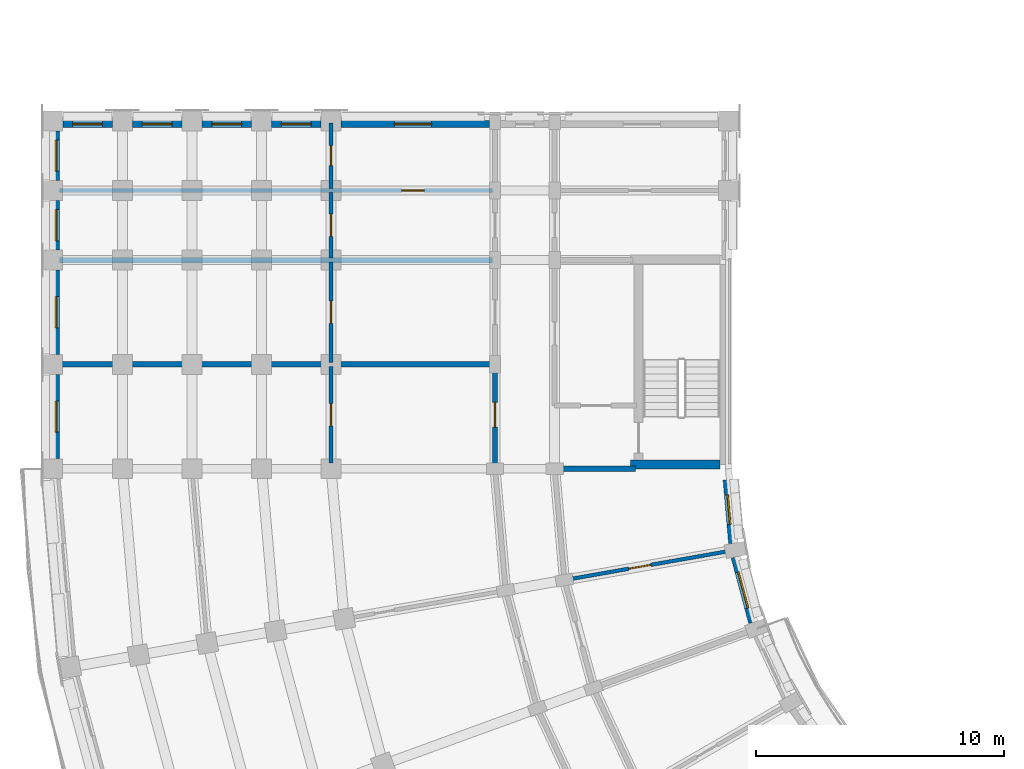
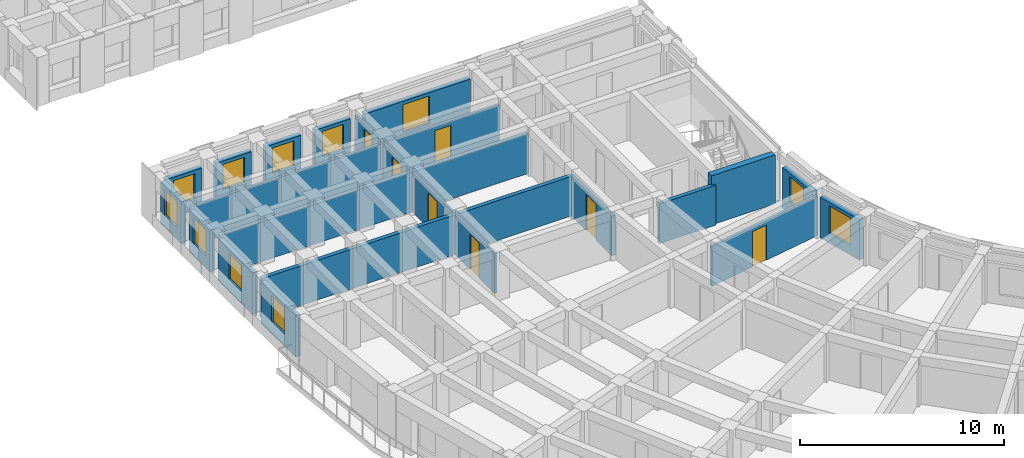
# One storey, part 19 of 54: 22 walls, 11 windows, 7 doors, 18 openings.
"""IFC4 building model written with IfcOpenShell, lengths in metres."""

from ifc_helpers import new_model, si_unit, direction, frame, frame_2d, origin, place, context, subcontext, project, spatial, rectangle, extrude, material, layer, layer_set, type_object, element, fill, save


model = new_model("IFC4")

# Units and contexts
model_context = context("Model", 3, precision=1e-05, world=origin(), true_north=direction((0.0, 1.0)))
body_context = subcontext(model_context, "Body", "Model", "MODEL_VIEW")
ifc_project = project(units=[si_unit("LENGTHUNIT", "METRE"), si_unit("AREAUNIT", "SQUARE_METRE"), si_unit("VOLUMEUNIT", "CUBIC_METRE"), si_unit("PLANEANGLEUNIT", "RADIAN"), si_unit("MASSUNIT", "GRAM", prefix="KILO")], contexts=[model_context])

# Site, building, storey
site_placement = place(None, origin())
site = spatial("IfcSite", under=ifc_project, at=site_placement, CompositionType="ELEMENT")
building_placement = place(site_placement, origin())
building = spatial("IfcBuilding", under=site, at=building_placement, Name="Kiranvali Square Residences", CompositionType="ELEMENT")
storey_placement = place(building_placement, frame((0.0, 0.0, 11.85009765625)))
storey = spatial("IfcBuildingStorey", under=building, at=storey_placement, Name="L03", CompositionType="ELEMENT", Elevation=11.85009765625)

# Wall, opening, door
ifc_material_1 = material(Name="Autoclaved aerated concrete blockwork masonry", Category="masonry")
ifc_layer_1 = layer(ifc_material_1, 0.199951171875)
ifc_layer_set_1 = layer_set([ifc_layer_1], Name="Autoclaved aerated concrete blockwork masonry")
wall_type_1 = type_object("IfcWallType", Name="WL-COR-200", PredefinedType="STANDARD", material=ifc_layer_set_1)
wall_1_placement = place(storey_placement, frame((20.0, 48.35009765625, 0.0), z_axis=(0.0, 0.0, 1.0), x_axis=(0.0, 1.0, 0.0)))
wall_1 = element("IfcWall", 1, at=wall_1_placement, inside=storey, type_object=wall_type_1, Name="L03 architectural wall WL-L03-C-A2CF-C0", PredefinedType="STANDARD", context=body_context, shape_type="SweptSolid", body=[
    extrude(rectangle(XDim=4.0498046875, YDim=0.199951171875, at=frame_2d((2.02490234375, 0.0))), origin(), (0.0, 0.0, 1.0), 2.371826171875),
])
opening_1_placement = place(wall_1_placement, frame((1.52490234375, 0.0, 0.0)))
opening_1 = element("IfcOpeningElement", 2, at=opening_1_placement, cuts=wall_1, Name="Opening FD-APT-60", PredefinedType="OPENING", context=body_context, shape_type="SweptSolid", body=[
    extrude(rectangle(XDim=1.0, YDim=2.14990234375, at=frame_2d((0.5, 1.074951171875))), frame((0.0, 0.10986328125, 0.0), z_axis=(0.0, -1.0, 0.0), x_axis=(1.0, 0.0, 0.0)), (0.0, 0.0, 1.0), 0.219970703125),
])
ifc_material_2 = material(Name="Fire-rated acoustic hardwood and mineral-core door assembly", Category="wood")
door_type_1 = type_object("IfcDoorType", Name="DR-APT-1000", OperationType="NOTDEFINED", PredefinedType="DOOR", material=ifc_material_2)
door_1_placement = place(opening_1_placement, frame((1.0, 0.0, 0.0), z_axis=(0.0, 0.0, 1.0), x_axis=(-1.0, 0.0, 0.0)))
door_1 = element("IfcDoor", 3, at=door_1_placement, inside=storey, type_object=door_type_1, Name="L03 door DR-L03-1956 (DR-APT-1000)", OperationType="SINGLE_SWING_RIGHT", OverallHeight=2.14990234375, OverallWidth=1.0, PredefinedType="DOOR", context=body_context, shape_type="SweptSolid", body=[
    extrude(rectangle(XDim=1.0, YDim=2.14990234375, at=frame_2d((0.5, 1.074951171875))), frame((0.0, 0.02490234375, 0.0), z_axis=(0.0, -1.0, 0.0), x_axis=(1.0, 0.0, 0.0)), (0.0, 0.0, 1.0), 0.050048828125),
])
fill(opening_1, door_1)

# Walls
ifc_layer_2 = layer(ifc_material_1, 0.219970703125)
ifc_layer_set_2 = layer_set([ifc_layer_2], Name="Autoclaved aerated concrete blockwork masonry")
wall_type_2 = type_object("IfcWallType", Name="WL-DEM-220", PredefinedType="STANDARD", material=ifc_layer_set_2)
wall_2_placement = place(storey_placement, frame((25.64990234375, 48.199951171875, 0.0), z_axis=(0.0, 0.0, 1.0), x_axis=(-1.0, 0.0, 0.0)))
element("IfcWall", 4, at=wall_2_placement, inside=storey, type_object=wall_type_2, Name="L03 architectural wall WL-L03-C-RADI-9", PredefinedType="STANDARD", context=body_context, shape_type="SweptSolid", body=[
    extrude(rectangle(XDim=3.199951171875, YDim=0.219970703125, at=frame_2d((1.60009765625, 0.0))), origin(), (0.0, 0.0, 1.0), 2.371826171875),
])
wall_3_placement = place(storey_placement, frame((19.949951171875, 52.39990234375, 0.0), z_axis=(0.0, 0.0, 1.0), x_axis=(-1.0, 0.0, 0.0)))
element("IfcWall", 5, at=wall_3_placement, inside=storey, type_object=wall_type_2, Name="L03 architectural wall WL-L03-C-A2CF-MID", PredefinedType="STANDARD", context=body_context, shape_type="SweptSolid", body=[
    extrude(rectangle(XDim=17.530029296875, YDim=0.219970703125, at=frame_2d((8.76513671875, 0.0))), origin(), (0.0, 0.0, 1.0), 2.371826171875),
])
wall_4_placement = place(storey_placement, frame((19.89990234375, 56.60009765625, 0.0), z_axis=(0.0, 0.0, 1.0), x_axis=(-1.0, 0.0, 0.0)))
element("IfcWall", 6, at=wall_4_placement, inside=storey, type_object=wall_type_2, Name="L03 architectural wall WL-L03-C-A2TO-0", PredefinedType="STANDARD", context=body_context, shape_type="SweptSolid", body=[
    extrude(rectangle(XDim=17.419921875, YDim=0.219970703125, at=frame_2d((8.7099609375, 0.0))), origin(), (0.0, 0.0, 1.0), 2.371826171875),
])

# Wall, opening, window
ifc_material_3 = material(Name="Breathable lime-rendered clay brick masonry", Category="masonry")
ifc_layer_3 = layer(ifc_material_3, 0.27490234375)
ifc_layer_set_3 = layer_set([ifc_layer_3], Name="Breathable lime-rendered clay brick masonry")
wall_type_3 = type_object("IfcWallType", Name="WL-EXT-275", PredefinedType="STANDARD", material=ifc_layer_set_3)
wall_5_placement = place(storey_placement, frame((30.340576171875, 42.0078125, 0.0), z_axis=(0.0, 0.0, 1.0), x_axis=(-0.258819907011, 0.965925595341, 0.0)))
wall_5 = element("IfcWall", 7, at=wall_5_placement, inside=storey, type_object=wall_type_3, Name="L03 exterior wall C-L03-GDN-07", PredefinedType="STANDARD", context=body_context, shape_type="SweptSolid", body=[
    extrude(rectangle(XDim=2.717529296875, YDim=0.27490234375, at=frame_2d((1.35888671875, 0.0))), origin(), (0.0, 0.0, 1.0), 2.421875),
])
opening_2_placement = place(wall_5_placement, frame((0.608642578125, 0.0, 0.572021484375)))
opening_2 = element("IfcOpeningElement", 8, at=opening_2_placement, cuts=wall_5, Name="Opening W-05", PredefinedType="OPENING", context=body_context, shape_type="SweptSolid", body=[
    extrude(rectangle(XDim=1.5, YDim=1.64990234375, at=frame_2d((0.75, 0.824951171875))), frame((0.0, 0.1474609375, 0.0), z_axis=(0.0, -1.0, 0.0), x_axis=(1.0, 0.0, 0.0)), (0.0, 0.0, 1.0), 0.294921875),
])
ifc_material_4 = material(Name="Solar-control low-e double glazing", Category="glass")
window_type_1 = type_object("IfcWindowType", Name="WIN-RES-1500x1650", PartitioningType="DOUBLE_PANEL_VERTICAL", PredefinedType="WINDOW", material=ifc_material_4)
window_1_placement = place(opening_2_placement, origin())
window_1 = element("IfcWindow", 9, at=window_1_placement, inside=storey, type_object=window_type_1, Name="L03 recessed window C-L03-GDN-07", OverallHeight=1.64990234375, OverallWidth=1.5, PartitioningType="DOUBLE_PANEL_VERTICAL", PredefinedType="WINDOW", context=body_context, shape_type="SweptSolid", body=[
    extrude(rectangle(XDim=1.5, YDim=1.64990234375, at=frame_2d((0.75, 0.824951171875))), frame((0.0, 0.030029296875, 0.0), z_axis=(0.0, -1.0, 0.0), x_axis=(1.0, 0.0, 0.0)), (0.0, 0.0, 1.0), 0.06005859375),
])
fill(opening_2, window_1)

wall_6_placement = place(storey_placement, frame((29.53662109375, 45.203125, 0.0), z_axis=(0.0, 0.0, 1.0), x_axis=(-0.08716102895, 0.996194235595, 0.0)))
wall_6 = element("IfcWall", 10, at=wall_6_placement, inside=storey, type_object=wall_type_3, Name="L03 exterior wall C-L03-GDN-08", PredefinedType="STANDARD", context=body_context, shape_type="SweptSolid", body=[
    extrude(rectangle(XDim=2.557373046875, YDim=0.27490234375, at=frame_2d((1.27880859375, 0.0))), origin(), (0.0, 0.0, 1.0), 2.421875),
])
opening_3_placement = place(wall_6_placement, frame((0.7587890625, 0.0, 0.721923828125)))
opening_3 = element("IfcOpeningElement", 11, at=opening_3_placement, cuts=wall_6, Name="Opening W-06", PredefinedType="OPENING", context=body_context, shape_type="SweptSolid", body=[
    extrude(rectangle(XDim=1.199951171875, YDim=1.5, at=frame_2d((0.60009765625, 0.75))), frame((0.0, 0.1474609375, 0.0), z_axis=(0.0, -1.0, 0.0), x_axis=(1.0, 0.0, 0.0)), (0.0, 0.0, 1.0), 0.294921875),
])
window_type_2 = type_object("IfcWindowType", Name="WIN-RES-1200x1500", PartitioningType="SINGLE_PANEL", PredefinedType="WINDOW", material=ifc_material_4)
window_2_placement = place(opening_3_placement, origin())
window_2 = element("IfcWindow", 12, at=window_2_placement, inside=storey, type_object=window_type_2, Name="L03 recessed window C-L03-GDN-08", OverallHeight=1.5, OverallWidth=1.199951171875, PartitioningType="SINGLE_PANEL", PredefinedType="WINDOW", context=body_context, shape_type="SweptSolid", body=[
    extrude(rectangle(XDim=1.199951171875, YDim=1.5, at=frame_2d((0.60009765625, 0.75))), frame((0.0, 0.030029296875, 0.0), z_axis=(0.0, -1.0, 0.0), x_axis=(1.0, 0.0, 0.0)), (0.0, 0.0, 1.0), 0.06005859375),
])
fill(opening_3, window_2)

wall_7_placement = place(storey_placement, frame((2.324951171875, 48.603515625, 0.0), z_axis=(0.0, 0.0, 1.0), x_axis=(0.0, 1.0, 0.0)))
wall_7 = element("IfcWall", 13, at=wall_7_placement, inside=storey, type_object=wall_type_3, Name="L03 exterior wall C-L03-A2O-0", PredefinedType="STANDARD", context=body_context, shape_type="SweptSolid", body=[
    extrude(rectangle(XDim=3.39306640625, YDim=0.27490234375, at=frame_2d((1.696533203125, 0.0))), origin(), (0.0, 0.0, 1.0), 2.471923828125),
])
opening_4_placement = place(wall_7_placement, frame((1.071533203125, 0.0, 0.721923828125)))
opening_4 = element("IfcOpeningElement", 14, at=opening_4_placement, cuts=wall_7, Name="Opening W-19", PredefinedType="OPENING", context=body_context, shape_type="SweptSolid", body=[
    extrude(rectangle(XDim=1.25, YDim=1.550048828125, at=frame_2d((0.625, 0.77490234375))), frame((0.0, 0.1474609375, 0.0), z_axis=(0.0, -1.0, 0.0), x_axis=(1.0, 0.0, 0.0)), (0.0, 0.0, 1.0), 0.294921875),
])
window_type_3 = type_object("IfcWindowType", Name="WIN-GDN-1250x1550", PartitioningType="SINGLE_PANEL", PredefinedType="WINDOW", material=ifc_material_4)
window_3_placement = place(opening_4_placement, origin())
window_3 = element("IfcWindow", 15, at=window_3_placement, inside=storey, type_object=window_type_3, Name="L03 recessed window C-L03-A2O-0", OverallHeight=1.550048828125, OverallWidth=1.25, PartitioningType="SINGLE_PANEL", PredefinedType="WINDOW", context=body_context, shape_type="SweptSolid", body=[
    extrude(rectangle(XDim=1.25, YDim=1.550048828125, at=frame_2d((0.625, 0.77490234375))), frame((0.0, 0.030029296875, 0.0), z_axis=(0.0, -1.0, 0.0), x_axis=(1.0, 0.0, 0.0)), (0.0, 0.0, 1.0), 0.06005859375),
])
fill(opening_4, window_3)

wall_8_placement = place(storey_placement, frame((2.324951171875, 52.803466796875, 0.0), z_axis=(0.0, 0.0, 1.0), x_axis=(0.0, 1.0, 0.0)))
wall_8 = element("IfcWall", 16, at=wall_8_placement, inside=storey, type_object=wall_type_3, Name="L03 exterior wall C-L03-A2O-1", PredefinedType="STANDARD", context=body_context, shape_type="SweptSolid", body=[
    extrude(rectangle(XDim=3.39306640625, YDim=0.27490234375, at=frame_2d((1.696533203125, 0.0))), origin(), (0.0, 0.0, 1.0), 2.471923828125),
])
opening_5_placement = place(wall_8_placement, frame((1.071533203125, 0.0, 0.721923828125)))
opening_5 = element("IfcOpeningElement", 17, at=opening_5_placement, cuts=wall_8, Name="Opening W-19", PredefinedType="OPENING", context=body_context, shape_type="SweptSolid", body=[
    extrude(rectangle(XDim=1.25, YDim=1.550048828125, at=frame_2d((0.625, 0.77490234375))), frame((0.0, 0.1474609375, 0.0), z_axis=(0.0, -1.0, 0.0), x_axis=(1.0, 0.0, 0.0)), (0.0, 0.0, 1.0), 0.294921875),
])
window_4_placement = place(opening_5_placement, origin())
window_4 = element("IfcWindow", 18, at=window_4_placement, inside=storey, type_object=window_type_3, Name="L03 recessed window C-L03-A2O-1", OverallHeight=1.550048828125, OverallWidth=1.25, PartitioningType="SINGLE_PANEL", PredefinedType="WINDOW", context=body_context, shape_type="SweptSolid", body=[
    extrude(rectangle(XDim=1.25, YDim=1.550048828125, at=frame_2d((0.625, 0.77490234375))), frame((0.0, 0.030029296875, 0.0), z_axis=(0.0, -1.0, 0.0), x_axis=(1.0, 0.0, 0.0)), (0.0, 0.0, 1.0), 0.06005859375),
])
fill(opening_5, window_4)

wall_9_placement = place(storey_placement, frame((2.324951171875, 57.00341796875, 0.0), z_axis=(0.0, 0.0, 1.0), x_axis=(0.0, 1.0, 0.0)))
wall_9 = element("IfcWall", 19, at=wall_9_placement, inside=storey, type_object=wall_type_3, Name="L03 exterior wall C-L03-A2O-2", PredefinedType="STANDARD", context=body_context, shape_type="SweptSolid", body=[
    extrude(rectangle(XDim=1.9931640625, YDim=0.27490234375, at=frame_2d((0.99658203125, 0.0))), origin(), (0.0, 0.0, 1.0), 2.471923828125),
])
opening_6_placement = place(wall_9_placement, frame((0.37158203125, 0.0, 0.721923828125)))
opening_6 = element("IfcOpeningElement", 20, at=opening_6_placement, cuts=wall_9, Name="Opening W-19", PredefinedType="OPENING", context=body_context, shape_type="SweptSolid", body=[
    extrude(rectangle(XDim=1.25, YDim=1.550048828125, at=frame_2d((0.625, 0.77490234375))), frame((0.0, 0.1474609375, 0.0), z_axis=(0.0, -1.0, 0.0), x_axis=(1.0, 0.0, 0.0)), (0.0, 0.0, 1.0), 0.294921875),
])
window_5_placement = place(opening_6_placement, origin())
window_5 = element("IfcWindow", 21, at=window_5_placement, inside=storey, type_object=window_type_3, Name="L03 recessed window C-L03-A2O-2", OverallHeight=1.550048828125, OverallWidth=1.25, PartitioningType="SINGLE_PANEL", PredefinedType="WINDOW", context=body_context, shape_type="SweptSolid", body=[
    extrude(rectangle(XDim=1.25, YDim=1.550048828125, at=frame_2d((0.625, 0.77490234375))), frame((0.0, 0.030029296875, 0.0), z_axis=(0.0, -1.0, 0.0), x_axis=(1.0, 0.0, 0.0)), (0.0, 0.0, 1.0), 0.06005859375),
])
fill(opening_6, window_5)

wall_10_placement = place(storey_placement, frame((2.324951171875, 59.803466796875, 0.0), z_axis=(0.0, 0.0, 1.0), x_axis=(0.0, 1.0, 0.0)))
wall_10 = element("IfcWall", 22, at=wall_10_placement, inside=storey, type_object=wall_type_3, Name="L03 exterior wall C-L03-A2O-3", PredefinedType="STANDARD", context=body_context, shape_type="SweptSolid", body=[
    extrude(rectangle(XDim=1.992919921875, YDim=0.27490234375, at=frame_2d((0.99658203125, 0.0))), origin(), (0.0, 0.0, 1.0), 2.471923828125),
])
opening_7_placement = place(wall_10_placement, frame((0.37158203125, 0.0, 0.721923828125)))
opening_7 = element("IfcOpeningElement", 23, at=opening_7_placement, cuts=wall_10, Name="Opening W-19", PredefinedType="OPENING", context=body_context, shape_type="SweptSolid", body=[
    extrude(rectangle(XDim=1.25, YDim=1.550048828125, at=frame_2d((0.625, 0.77490234375))), frame((0.0, 0.1474609375, 0.0), z_axis=(0.0, -1.0, 0.0), x_axis=(1.0, 0.0, 0.0)), (0.0, 0.0, 1.0), 0.294921875),
])
window_6_placement = place(opening_7_placement, origin())
window_6 = element("IfcWindow", 24, at=window_6_placement, inside=storey, type_object=window_type_3, Name="L03 recessed window C-L03-A2O-3", OverallHeight=1.550048828125, OverallWidth=1.25, PartitioningType="SINGLE_PANEL", PredefinedType="WINDOW", context=body_context, shape_type="SweptSolid", body=[
    extrude(rectangle(XDim=1.25, YDim=1.550048828125, at=frame_2d((0.625, 0.77490234375))), frame((0.0, 0.030029296875, 0.0), z_axis=(0.0, -1.0, 0.0), x_axis=(1.0, 0.0, 0.0)), (0.0, 0.0, 1.0), 0.06005859375),
])
fill(opening_7, window_6)

wall_11_placement = place(storey_placement, frame((19.771484375, 62.074951171875, 0.0), z_axis=(0.0, 0.0, 1.0), x_axis=(-1.0, 0.0, 0.0)))
wall_11 = element("IfcWall", 25, at=wall_11_placement, inside=storey, type_object=wall_type_3, Name="L03 exterior wall C-L03-A2END-2", PredefinedType="STANDARD", context=body_context, shape_type="SweptSolid", body=[
    extrude(rectangle(XDim=5.968017578125, YDim=0.27490234375, at=frame_2d((2.98388671875, 0.0))), origin(), (0.0, 0.0, 1.0), 2.371826171875),
])
opening_8_placement = place(wall_11_placement, frame((2.321533203125, 0.0, 0.52197265625)))
opening_8 = element("IfcOpeningElement", 26, at=opening_8_placement, cuts=wall_11, Name="Opening W-05", PredefinedType="OPENING", context=body_context, shape_type="SweptSolid", body=[
    extrude(rectangle(XDim=1.5, YDim=1.64990234375, at=frame_2d((0.75, 0.824951171875))), frame((0.0, 0.1474609375, 0.0), z_axis=(0.0, -1.0, 0.0), x_axis=(1.0, 0.0, 0.0)), (0.0, 0.0, 1.0), 0.294921875),
])
window_7_placement = place(opening_8_placement, origin())
window_7 = element("IfcWindow", 27, at=window_7_placement, inside=storey, type_object=window_type_1, Name="L03 recessed window C-L03-A2END-2", OverallHeight=1.64990234375, OverallWidth=1.5, PartitioningType="DOUBLE_PANEL_VERTICAL", PredefinedType="WINDOW", context=body_context, shape_type="SweptSolid", body=[
    extrude(rectangle(XDim=1.5, YDim=1.64990234375, at=frame_2d((0.75, 0.824951171875))), frame((0.0, 0.030029296875, 0.0), z_axis=(0.0, -1.0, 0.0), x_axis=(1.0, 0.0, 0.0)), (0.0, 0.0, 1.0), 0.06005859375),
])
fill(opening_8, window_7)

wall_12_placement = place(storey_placement, frame((12.99658203125, 62.074951171875, 0.0), z_axis=(0.0, 0.0, 1.0), x_axis=(-1.0, 0.0, 0.0)))
wall_12 = element("IfcWall", 28, at=wall_12_placement, inside=storey, type_object=wall_type_3, Name="L03 exterior wall C-L03-A2END-3", PredefinedType="STANDARD", context=body_context, shape_type="SweptSolid", body=[
    extrude(rectangle(XDim=1.9931640625, YDim=0.27490234375, at=frame_2d((0.99658203125, 0.0))), origin(), (0.0, 0.0, 1.0), 2.371826171875),
])
opening_9_placement = place(wall_12_placement, frame((0.396484375, 0.0, 0.672119140625)))
opening_9 = element("IfcOpeningElement", 29, at=opening_9_placement, cuts=wall_12, Name="Opening W-06", PredefinedType="OPENING", context=body_context, shape_type="SweptSolid", body=[
    extrude(rectangle(XDim=1.199951171875, YDim=1.5, at=frame_2d((0.60009765625, 0.75))), frame((0.0, 0.1474609375, 0.0), z_axis=(0.0, -1.0, 0.0), x_axis=(1.0, 0.0, 0.0)), (0.0, 0.0, 1.0), 0.294921875),
])
window_8_placement = place(opening_9_placement, origin())
window_8 = element("IfcWindow", 30, at=window_8_placement, inside=storey, type_object=window_type_2, Name="L03 recessed window C-L03-A2END-3", OverallHeight=1.5, OverallWidth=1.199951171875, PartitioningType="SINGLE_PANEL", PredefinedType="WINDOW", context=body_context, shape_type="SweptSolid", body=[
    extrude(rectangle(XDim=1.199951171875, YDim=1.5, at=frame_2d((0.60009765625, 0.75))), frame((0.0, 0.030029296875, 0.0), z_axis=(0.0, -1.0, 0.0), x_axis=(1.0, 0.0, 0.0)), (0.0, 0.0, 1.0), 0.06005859375),
])
fill(opening_9, window_8)

wall_13_placement = place(storey_placement, frame((10.196533203125, 62.074951171875, 0.0), z_axis=(0.0, 0.0, 1.0), x_axis=(-1.0, 0.0, 0.0)))
wall_13 = element("IfcWall", 31, at=wall_13_placement, inside=storey, type_object=wall_type_3, Name="L03 exterior wall C-L03-A2END-4", PredefinedType="STANDARD", context=body_context, shape_type="SweptSolid", body=[
    extrude(rectangle(XDim=1.992919921875, YDim=0.27490234375, at=frame_2d((0.99658203125, 0.0))), origin(), (0.0, 0.0, 1.0), 2.371826171875),
])
opening_10_placement = place(wall_13_placement, frame((0.396484375, 0.0, 0.672119140625)))
opening_10 = element("IfcOpeningElement", 32, at=opening_10_placement, cuts=wall_13, Name="Opening W-06", PredefinedType="OPENING", context=body_context, shape_type="SweptSolid", body=[
    extrude(rectangle(XDim=1.199951171875, YDim=1.5, at=frame_2d((0.60009765625, 0.75))), frame((0.0, 0.1474609375, 0.0), z_axis=(0.0, -1.0, 0.0), x_axis=(1.0, 0.0, 0.0)), (0.0, 0.0, 1.0), 0.294921875),
])
window_9_placement = place(opening_10_placement, origin())
window_9 = element("IfcWindow", 33, at=window_9_placement, inside=storey, type_object=window_type_2, Name="L03 recessed window C-L03-A2END-4", OverallHeight=1.5, OverallWidth=1.199951171875, PartitioningType="SINGLE_PANEL", PredefinedType="WINDOW", context=body_context, shape_type="SweptSolid", body=[
    extrude(rectangle(XDim=1.199951171875, YDim=1.5, at=frame_2d((0.60009765625, 0.75))), frame((0.0, 0.030029296875, 0.0), z_axis=(0.0, -1.0, 0.0), x_axis=(1.0, 0.0, 0.0)), (0.0, 0.0, 1.0), 0.06005859375),
])
fill(opening_10, window_9)

wall_14_placement = place(storey_placement, frame((7.396484375, 62.074951171875, 0.0), z_axis=(0.0, 0.0, 1.0), x_axis=(-1.0, 0.0, 0.0)))
wall_14 = element("IfcWall", 34, at=wall_14_placement, inside=storey, type_object=wall_type_3, Name="L03 exterior wall C-L03-A2END-5", PredefinedType="STANDARD", context=body_context, shape_type="SweptSolid", body=[
    extrude(rectangle(XDim=1.992919921875, YDim=0.27490234375, at=frame_2d((0.99658203125, 0.0))), origin(), (0.0, 0.0, 1.0), 2.371826171875),
])
opening_11_placement = place(wall_14_placement, frame((0.396484375, 0.0, 0.672119140625)))
opening_11 = element("IfcOpeningElement", 35, at=opening_11_placement, cuts=wall_14, Name="Opening W-06", PredefinedType="OPENING", context=body_context, shape_type="SweptSolid", body=[
    extrude(rectangle(XDim=1.199951171875, YDim=1.5, at=frame_2d((0.60009765625, 0.75))), frame((0.0, 0.1474609375, 0.0), z_axis=(0.0, -1.0, 0.0), x_axis=(1.0, 0.0, 0.0)), (0.0, 0.0, 1.0), 0.294921875),
])
window_10_placement = place(opening_11_placement, origin())
window_10 = element("IfcWindow", 36, at=window_10_placement, inside=storey, type_object=window_type_2, Name="L03 recessed window C-L03-A2END-5", OverallHeight=1.5, OverallWidth=1.199951171875, PartitioningType="SINGLE_PANEL", PredefinedType="WINDOW", context=body_context, shape_type="SweptSolid", body=[
    extrude(rectangle(XDim=1.199951171875, YDim=1.5, at=frame_2d((0.60009765625, 0.75))), frame((0.0, 0.030029296875, 0.0), z_axis=(0.0, -1.0, 0.0), x_axis=(1.0, 0.0, 0.0)), (0.0, 0.0, 1.0), 0.06005859375),
])
fill(opening_11, window_10)

wall_15_placement = place(storey_placement, frame((4.596435546875, 62.074951171875, 0.0), z_axis=(0.0, 0.0, 1.0), x_axis=(-1.0, 0.0, 0.0)))
wall_15 = element("IfcWall", 37, at=wall_15_placement, inside=storey, type_object=wall_type_3, Name="L03 exterior wall C-L03-A2END-6", PredefinedType="STANDARD", context=body_context, shape_type="SweptSolid", body=[
    extrude(rectangle(XDim=1.992919921875, YDim=0.27490234375, at=frame_2d((0.99658203125, 0.0))), origin(), (0.0, 0.0, 1.0), 2.371826171875),
])
opening_12_placement = place(wall_15_placement, frame((0.396484375, 0.0, 0.672119140625)))
opening_12 = element("IfcOpeningElement", 38, at=opening_12_placement, cuts=wall_15, Name="Opening W-06", PredefinedType="OPENING", context=body_context, shape_type="SweptSolid", body=[
    extrude(rectangle(XDim=1.199951171875, YDim=1.5, at=frame_2d((0.60009765625, 0.75))), frame((0.0, 0.1474609375, 0.0), z_axis=(0.0, -1.0, 0.0), x_axis=(1.0, 0.0, 0.0)), (0.0, 0.0, 1.0), 0.294921875),
])
window_11_placement = place(opening_12_placement, origin())
window_11 = element("IfcWindow", 39, at=window_11_placement, inside=storey, type_object=window_type_2, Name="L03 recessed window C-L03-A2END-6", OverallHeight=1.5, OverallWidth=1.199951171875, PartitioningType="SINGLE_PANEL", PredefinedType="WINDOW", context=body_context, shape_type="SweptSolid", body=[
    extrude(rectangle(XDim=1.199951171875, YDim=1.5, at=frame_2d((0.60009765625, 0.75))), frame((0.0, 0.030029296875, 0.0), z_axis=(0.0, -1.0, 0.0), x_axis=(1.0, 0.0, 0.0)), (0.0, 0.0, 1.0), 0.06005859375),
])
fill(opening_12, window_11)

# Wall, opening, door
ifc_material_5 = material(Name="Acoustic gypsum board drylined partition", Category="gypsum")
ifc_layer_4 = layer(ifc_material_5, 0.14990234375)
ifc_layer_set_4 = layer_set([ifc_layer_4], Name="Acoustic gypsum board drylined partition")
wall_type_4 = type_object("IfcWallType", Name="WL-PRT-150", PredefinedType="PARTITIONING", material=ifc_layer_set_4)
wall_16_placement = place(storey_placement, frame((29.48876953125, 44.900634765625, 0.0), z_axis=(0.0, 0.0, 1.0), x_axis=(-0.984807944945, -0.173647089161, 0.0)))
wall_16 = element("IfcWall", 40, at=wall_16_placement, inside=storey, type_object=wall_type_4, Name="L03 architectural wall WL-L03-C-RADI-8", PredefinedType="PARTITIONING", context=body_context, shape_type="SweptSolid", body=[
    extrude(rectangle(XDim=6.75, YDim=0.14990234375, at=frame_2d((3.375, 0.0))), origin(), (0.0, 0.0, 1.0), 2.371826171875),
])
opening_13_placement = place(wall_16_placement, frame((3.262451171875, 0.0, 0.0)))
opening_13 = element("IfcOpeningElement", 41, at=opening_13_placement, cuts=wall_16, Name="Opening ID-1", PredefinedType="OPENING", context=body_context, shape_type="SweptSolid", body=[
    extrude(rectangle(XDim=0.89990234375, YDim=2.10009765625, at=frame_2d((0.449951171875, 1.050048828125))), frame((0.0, 0.0849609375, 0.0), z_axis=(0.0, -1.0, 0.0), x_axis=(1.0, 0.0, 0.0)), (0.0, 0.0, 1.0), 0.169921875),
])
ifc_material_6 = material(Name="Solid seasoned teak hardwood joinery", Category="wood")
door_type_2 = type_object("IfcDoorType", Name="DR-INT-900", OperationType="NOTDEFINED", PredefinedType="DOOR", material=ifc_material_6)
door_2_placement = place(opening_13_placement, origin())
door_2 = element("IfcDoor", 42, at=door_2_placement, inside=storey, type_object=door_type_2, Name="L03 door DR-L03-1941 (DR-INT-900)", OperationType="SINGLE_SWING_LEFT", OverallHeight=2.10009765625, OverallWidth=0.89990234375, PredefinedType="DOOR", context=body_context, shape_type="SweptSolid", body=[
    extrude(rectangle(XDim=0.89990234375, YDim=2.10009765625, at=frame_2d((0.449951171875, 1.050048828125))), frame((0.0, 0.02490234375, 0.0), z_axis=(0.0, -1.0, 0.0), x_axis=(1.0, 0.0, 0.0)), (0.0, 0.0, 1.0), 0.050048828125),
])
fill(opening_13, door_2)

wall_17_placement = place(storey_placement, frame((13.39990234375, 48.429931640625, 0.0), z_axis=(0.0, 0.0, 1.0), x_axis=(0.0, 1.0, 0.0)))
wall_17 = element("IfcWall", 43, at=wall_17_placement, inside=storey, type_object=wall_type_4, Name="L03 architectural wall WL-L03-C-A2CF-SP0", PredefinedType="PARTITIONING", context=body_context, shape_type="SweptSolid", body=[
    extrude(rectangle(XDim=3.89013671875, YDim=0.14990234375, at=frame_2d((1.945068359375, 0.0))), origin(), (0.0, 0.0, 1.0), 2.371826171875),
])
opening_14_placement = place(wall_17_placement, frame((1.4951171875, 0.0, 0.0)))
opening_14 = element("IfcOpeningElement", 44, at=opening_14_placement, cuts=wall_17, Name="Opening ID-1", PredefinedType="OPENING", context=body_context, shape_type="SweptSolid", body=[
    extrude(rectangle(XDim=0.89990234375, YDim=2.10009765625, at=frame_2d((0.449951171875, 1.050048828125))), frame((0.0, 0.0849609375, 0.0), z_axis=(0.0, -1.0, 0.0), x_axis=(1.0, 0.0, 0.0)), (0.0, 0.0, 1.0), 0.169921875),
])
door_3_placement = place(opening_14_placement, origin())
door_3 = element("IfcDoor", 45, at=door_3_placement, inside=storey, type_object=door_type_2, Name="L03 door DR-L03-1957 (DR-INT-900)", OperationType="SINGLE_SWING_LEFT", OverallHeight=2.10009765625, OverallWidth=0.89990234375, PredefinedType="DOOR", context=body_context, shape_type="SweptSolid", body=[
    extrude(rectangle(XDim=0.89990234375, YDim=2.10009765625, at=frame_2d((0.449951171875, 1.050048828125))), frame((0.0, 0.02490234375, 0.0), z_axis=(0.0, -1.0, 0.0), x_axis=(1.0, 0.0, 0.0)), (0.0, 0.0, 1.0), 0.050048828125),
])
fill(opening_14, door_3)

wall_18_placement = place(storey_placement, frame((13.39990234375, 52.47998046875, 0.0), z_axis=(0.0, 0.0, 1.0), x_axis=(0.0, 1.0, 0.0)))
wall_18 = element("IfcWall", 46, at=wall_18_placement, inside=storey, type_object=wall_type_4, Name="L03 architectural wall WL-L03-C-A2CF-SP1", PredefinedType="PARTITIONING", context=body_context, shape_type="SweptSolid", body=[
    extrude(rectangle(XDim=4.0400390625, YDim=0.14990234375, at=frame_2d((2.02001953125, 0.0))), origin(), (0.0, 0.0, 1.0), 2.371826171875),
])
opening_15_placement = place(wall_18_placement, frame((1.570068359375, 0.0, 0.0)))
opening_15 = element("IfcOpeningElement", 47, at=opening_15_placement, cuts=wall_18, Name="Opening ID-1", PredefinedType="OPENING", context=body_context, shape_type="SweptSolid", body=[
    extrude(rectangle(XDim=0.89990234375, YDim=2.10009765625, at=frame_2d((0.449951171875, 1.050048828125))), frame((0.0, 0.0849609375, 0.0), z_axis=(0.0, -1.0, 0.0), x_axis=(1.0, 0.0, 0.0)), (0.0, 0.0, 1.0), 0.169921875),
])
door_4_placement = place(opening_15_placement, origin())
door_4 = element("IfcDoor", 48, at=door_4_placement, inside=storey, type_object=door_type_2, Name="L03 door DR-L03-1959 (DR-INT-900)", OperationType="SINGLE_SWING_LEFT", OverallHeight=2.10009765625, OverallWidth=0.89990234375, PredefinedType="DOOR", context=body_context, shape_type="SweptSolid", body=[
    extrude(rectangle(XDim=0.89990234375, YDim=2.10009765625, at=frame_2d((0.449951171875, 1.050048828125))), frame((0.0, 0.02490234375, 0.0), z_axis=(0.0, -1.0, 0.0), x_axis=(1.0, 0.0, 0.0)), (0.0, 0.0, 1.0), 0.050048828125),
])
fill(opening_15, door_4)

wall_19_placement = place(storey_placement, frame((19.89990234375, 59.39990234375, 0.0), z_axis=(0.0, 0.0, 1.0), x_axis=(-1.0, 0.0, 0.0)))
wall_19 = element("IfcWall", 49, at=wall_19_placement, inside=storey, type_object=wall_type_4, Name="L03 architectural wall WL-L03-C-A2TO-1", PredefinedType="PARTITIONING", context=body_context, shape_type="SweptSolid", body=[
    extrude(rectangle(XDim=17.419921875, YDim=0.14990234375, at=frame_2d((8.7099609375, 0.0))), origin(), (0.0, 0.0, 1.0), 2.371826171875),
])
opening_16_placement = place(wall_19_placement, frame((2.75, 0.0, 0.0)))
opening_16 = element("IfcOpeningElement", 50, at=opening_16_placement, cuts=wall_19, Name="Opening ID-1", PredefinedType="OPENING", context=body_context, shape_type="SweptSolid", body=[
    extrude(rectangle(XDim=0.89990234375, YDim=2.10009765625, at=frame_2d((0.449951171875, 1.050048828125))), frame((0.0, 0.0849609375, 0.0), z_axis=(0.0, -1.0, 0.0), x_axis=(1.0, 0.0, 0.0)), (0.0, 0.0, 1.0), 0.169921875),
])
door_5_placement = place(opening_16_placement, origin())
door_5 = element("IfcDoor", 51, at=door_5_placement, inside=storey, type_object=door_type_2, Name="L03 door DR-L03-1965 (DR-INT-900)", OperationType="SINGLE_SWING_LEFT", OverallHeight=2.10009765625, OverallWidth=0.89990234375, PredefinedType="DOOR", context=body_context, shape_type="SweptSolid", body=[
    extrude(rectangle(XDim=0.89990234375, YDim=2.10009765625, at=frame_2d((0.449951171875, 1.050048828125))), frame((0.0, 0.02490234375, 0.0), z_axis=(0.0, -1.0, 0.0), x_axis=(1.0, 0.0, 0.0)), (0.0, 0.0, 1.0), 0.050048828125),
])
fill(opening_16, door_5)

# Wall
ifc_material_7 = material(Name="Concrete M50 (50 MPa)", Category="concrete")
ifc_layer_5 = layer(ifc_material_7, 0.35009765625)
ifc_layer_set_5 = layer_set([ifc_layer_5], Name="Concrete M50 (50 MPa)")
wall_type_5 = type_object("IfcWallType", Name="WL-SHR-350", PredefinedType="SHEAR", material=ifc_layer_set_5)
wall_20_placement = place(storey_placement, frame((29.050048828125, 48.375, 0.0), z_axis=(0.0, 0.0, 1.0), x_axis=(-1.0, 0.0, 0.0)))
element("IfcWall", 52, at=wall_20_placement, inside=storey, type_object=wall_type_5, Name="Block C core shear wall SW-C3-NEAR-L03", PredefinedType="SHEAR", context=body_context, shape_type="SweptSolid", body=[
    extrude(rectangle(XDim=3.60009765625, YDim=0.35009765625, at=frame_2d((1.800048828125, 0.0))), origin(), (0.0, 0.0, 1.0), 2.929931640625),
])

# Wall, opening, door
ifc_layer_6 = layer(ifc_material_1, 0.14990234375)
ifc_layer_set_6 = layer_set([ifc_layer_6], Name="Autoclaved aerated concrete blockwork masonry")
wall_type_6 = type_object("IfcWallType", Name="WL-WET-150", PredefinedType="PLUMBINGWALL", material=ifc_layer_set_6)
wall_21_placement = place(storey_placement, frame((13.39990234375, 56.679931640625, 0.0), z_axis=(0.0, 0.0, 1.0), x_axis=(0.0, 1.0, 0.0)))
wall_21 = element("IfcWall", 53, at=wall_21_placement, inside=storey, type_object=wall_type_6, Name="L03 architectural wall WL-L03-C-A2SP-0", PredefinedType="PLUMBINGWALL", context=body_context, shape_type="SweptSolid", body=[
    extrude(rectangle(XDim=2.64013671875, YDim=0.14990234375, at=frame_2d((1.320068359375, 0.0))), origin(), (0.0, 0.0, 1.0), 2.371826171875),
])
opening_17_placement = place(wall_21_placement, frame((0.8701171875, 0.0, 0.0)))
opening_17 = element("IfcOpeningElement", 54, at=opening_17_placement, cuts=wall_21, Name="Opening ID-1", PredefinedType="OPENING", context=body_context, shape_type="SweptSolid", body=[
    extrude(rectangle(XDim=0.89990234375, YDim=2.10009765625, at=frame_2d((0.449951171875, 1.050048828125))), frame((0.0, 0.0849609375, 0.0), z_axis=(0.0, -1.0, 0.0), x_axis=(1.0, 0.0, 0.0)), (0.0, 0.0, 1.0), 0.169921875),
])
door_6_placement = place(opening_17_placement, origin())
door_6 = element("IfcDoor", 55, at=door_6_placement, inside=storey, type_object=door_type_2, Name="L03 door DR-L03-1961 (DR-INT-900)", OperationType="SINGLE_SWING_LEFT", OverallHeight=2.10009765625, OverallWidth=0.89990234375, PredefinedType="DOOR", context=body_context, shape_type="SweptSolid", body=[
    extrude(rectangle(XDim=0.89990234375, YDim=2.10009765625, at=frame_2d((0.449951171875, 1.050048828125))), frame((0.0, 0.02490234375, 0.0), z_axis=(0.0, -1.0, 0.0), x_axis=(1.0, 0.0, 0.0)), (0.0, 0.0, 1.0), 0.050048828125),
])
fill(opening_17, door_6)

wall_22_placement = place(storey_placement, frame((13.39990234375, 59.47998046875, 0.0), z_axis=(0.0, 0.0, 1.0), x_axis=(0.0, 1.0, 0.0)))
wall_22 = element("IfcWall", 56, at=wall_22_placement, inside=storey, type_object=wall_type_6, Name="L03 architectural wall WL-L03-C-A2SP-1", PredefinedType="PLUMBINGWALL", context=body_context, shape_type="SweptSolid", body=[
    extrude(rectangle(XDim=2.64013671875, YDim=0.14990234375, at=frame_2d((1.320068359375, 0.0))), origin(), (0.0, 0.0, 1.0), 2.371826171875),
])
opening_18_placement = place(wall_22_placement, frame((0.919921875, 0.0, 0.0)))
opening_18 = element("IfcOpeningElement", 57, at=opening_18_placement, cuts=wall_22, Name="Opening ID-WET", PredefinedType="OPENING", context=body_context, shape_type="SweptSolid", body=[
    extrude(rectangle(XDim=0.800048828125, YDim=2.10009765625, at=frame_2d((0.39990234375, 1.050048828125))), frame((0.0, 0.0849609375, 0.0), z_axis=(0.0, -1.0, 0.0), x_axis=(1.0, 0.0, 0.0)), (0.0, 0.0, 1.0), 0.169921875),
])
door_type_3 = type_object("IfcDoorType", Name="DR-WET-800", OperationType="NOTDEFINED", PredefinedType="DOOR", material=ifc_material_6)
door_7_placement = place(opening_18_placement, origin())
door_7 = element("IfcDoor", 58, at=door_7_placement, inside=storey, type_object=door_type_3, Name="L03 door DR-L03-1963 (DR-WET-800)", OperationType="SINGLE_SWING_LEFT", OverallHeight=2.10009765625, OverallWidth=0.800048828125, PredefinedType="DOOR", context=body_context, shape_type="SweptSolid", body=[
    extrude(rectangle(XDim=0.800048828125, YDim=2.10009765625, at=frame_2d((0.39990234375, 1.050048828125))), frame((0.0, 0.02490234375, 0.0), z_axis=(0.0, -1.0, 0.0), x_axis=(1.0, 0.0, 0.0)), (0.0, 0.0, 1.0), 0.050048828125),
])
fill(opening_18, door_7)

save(model, "model.ifc")
